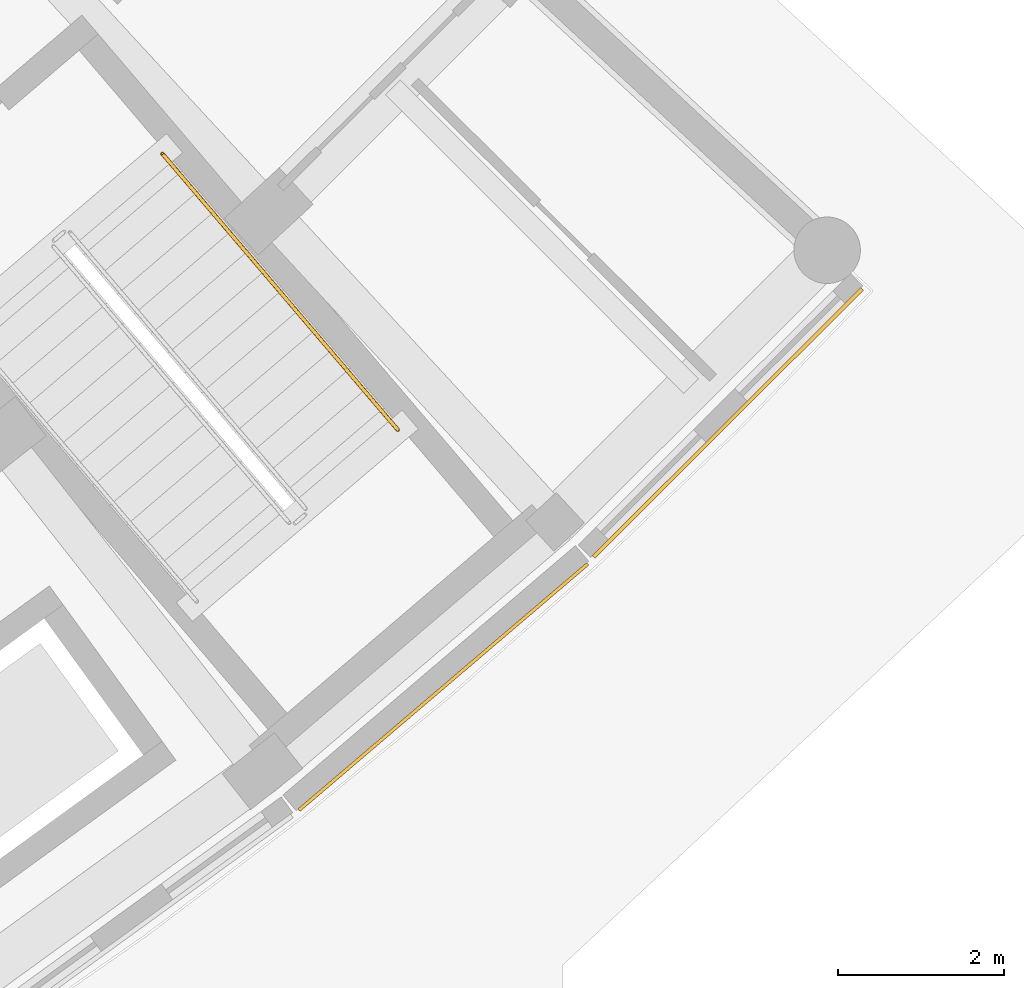
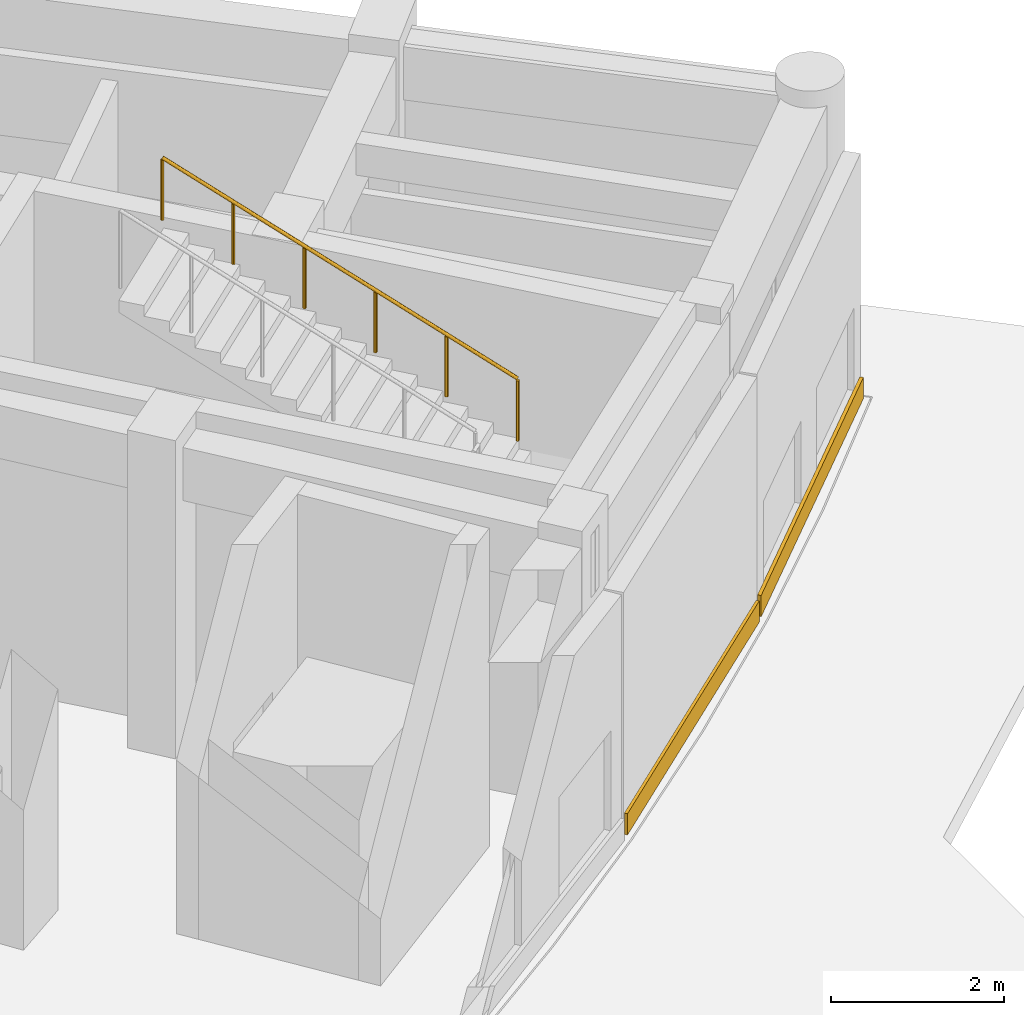
# One storey, part 60 of 61: 2 coverings, 1 railing.
"""IFC4 building model written with IfcOpenShell, lengths in metres."""

from ifc_helpers import new_model, si_unit, direction, frame, origin, origin_2d, place, context, subcontext, project, spatial, rectangle, circle, extrude, material, layer, layer_set, type_object, element, save


model = new_model("IFC4")

# Units and contexts
model_context = context("Model", 3, precision=1e-05, world=origin(), true_north=direction((0.0, 1.0)))
body_context = subcontext(model_context, "Body", "Model", "MODEL_VIEW")
ifc_project = project(units=[si_unit("LENGTHUNIT", "METRE"), si_unit("AREAUNIT", "SQUARE_METRE"), si_unit("VOLUMEUNIT", "CUBIC_METRE"), si_unit("PLANEANGLEUNIT", "RADIAN"), si_unit("MASSUNIT", "GRAM", prefix="KILO")], contexts=[model_context])

# Site, building, storey
site_placement = place(None, origin())
site = spatial("IfcSite", under=ifc_project, at=site_placement, CompositionType="ELEMENT")
building_placement = place(site_placement, origin())
building = spatial("IfcBuilding", under=site, at=building_placement, Name="Zimvara Arc Housing Community", CompositionType="ELEMENT")
storey_placement = place(building_placement, origin())
storey = spatial("IfcBuildingStorey", under=building, at=storey_placement, Name="L00", CompositionType="ELEMENT", Elevation=0.0)

# Coverings
ifc_material_1 = material(Name="Pale-Gold Anodised Aluminium Cladding", Category="aluminium")
ifc_layer_1 = layer(ifc_material_1, 0.0400390625)
ifc_layer_set_1 = layer_set([ifc_layer_1], Name="Pale-Gold Anodised Aluminium Cladding")
covering_type_1 = type_object("IfcCoveringType", Name="CLD-GOLD-01", PredefinedType="CLADDING", material=ifc_layer_set_1)
covering_1_placement = place(storey_placement, frame((164.566162109375, 64.601318359375, 0.009765625), z_axis=(0.0, 0.0, 1.0), x_axis=(0.760971293982, 0.648785549882, 0.0)))
element("IfcCovering", 1, at=covering_1_placement, inside=storey, type_object=covering_type_1, Name="cld:blkD:L00:out:b8", PredefinedType="CLADDING", context=body_context, shape_type="SweptSolid", body=[
    extrude(rectangle(XDim=4.5625, YDim=0.0400390625, at=origin_2d()), origin(), (0.0, 0.0, 1.0), 0.300048828125),
])
ifc_material_2 = material(Name="Pale-Gold Anodised Aluminium Cladding", Category="aluminium")
ifc_layer_2 = layer(ifc_material_2, 0.044921875)
ifc_layer_set_2 = layer_set([ifc_layer_2], Name="Pale-Gold Anodised Aluminium Cladding")
covering_type_2 = type_object("IfcCoveringType", Name="CLD-GOLD-02", PredefinedType="CLADDING", material=ifc_layer_set_2)
covering_2_placement = place(storey_placement, frame((167.98828125, 67.7783203125, 0.009765625), z_axis=(0.0, 0.0, 1.0), x_axis=(0.707722345879, 0.706490680153, 0.0)))
element("IfcCovering", 2, at=covering_2_placement, inside=storey, type_object=covering_type_2, Name="cld:blkD:L00:out:b9", PredefinedType="CLADDING", context=body_context, shape_type="SweptSolid", body=[
    extrude(rectangle(XDim=4.5625, YDim=0.044921875, at=origin_2d()), origin(), (0.0, 0.0, 1.0), 0.300048828125),
])

# Railing
ifc_material_3 = material(Name="Anodised Aluminium AW-6063", Category="aluminium")
railing_type = type_object("IfcRailingType", Name="RLG-HND-900", PredefinedType="HANDRAIL", material=ifc_material_3)
railing_placement = place(storey_placement, frame((164.02001953125, 67.692626953125, 2.39990234375)))
element("IfcRailing", 3, at=railing_placement, inside=storey, type_object=railing_type, Name="L00 ST-D2 stair handrail 2", PredefinedType="HANDRAIL", context=body_context, shape_type="SweptSolid", body=[
    extrude(circle(Radius=0.02392578125, at=origin_2d()), frame((0.0, 0.0, 0.8759765625), z_axis=(-0.58468908854, 0.685839746746, 0.433315718069), x_axis=(-0.760993829299, -0.648759116906, 0.0)), (0.0, 0.0, 1.0), 4.8466796875),
    extrude(circle(Radius=0.02099609375, at=origin_2d()), origin(), (0.0, 0.0, 1.0), 0.851806640625),
    extrude(circle(Radius=0.02099609375, at=origin_2d()), frame((-0.566650390625, 0.664794921875, 0.419921875)), (0.0, 0.0, 1.0), 0.851806640625),
    extrude(circle(Radius=0.02099609375, at=origin_2d()), frame((-1.133544921875, 1.32958984375, 0.840087890625)), (0.0, 0.0, 1.0), 0.851806640625),
    extrude(circle(Radius=0.02099609375, at=origin_2d()), frame((-1.7001953125, 1.994384765625, 1.260009765625)), (0.0, 0.0, 1.0), 0.851806640625),
    extrude(circle(Radius=0.02099609375, at=origin_2d()), frame((-2.26708984375, 2.6591796875, 1.68017578125)), (0.0, 0.0, 1.0), 0.851806640625),
    extrude(circle(Radius=0.02099609375, at=origin_2d()), frame((-2.833740234375, 3.323974609375, 2.10009765625)), (0.0, 0.0, 1.0), 0.851806640625),
])

save(model, "model.ifc")
